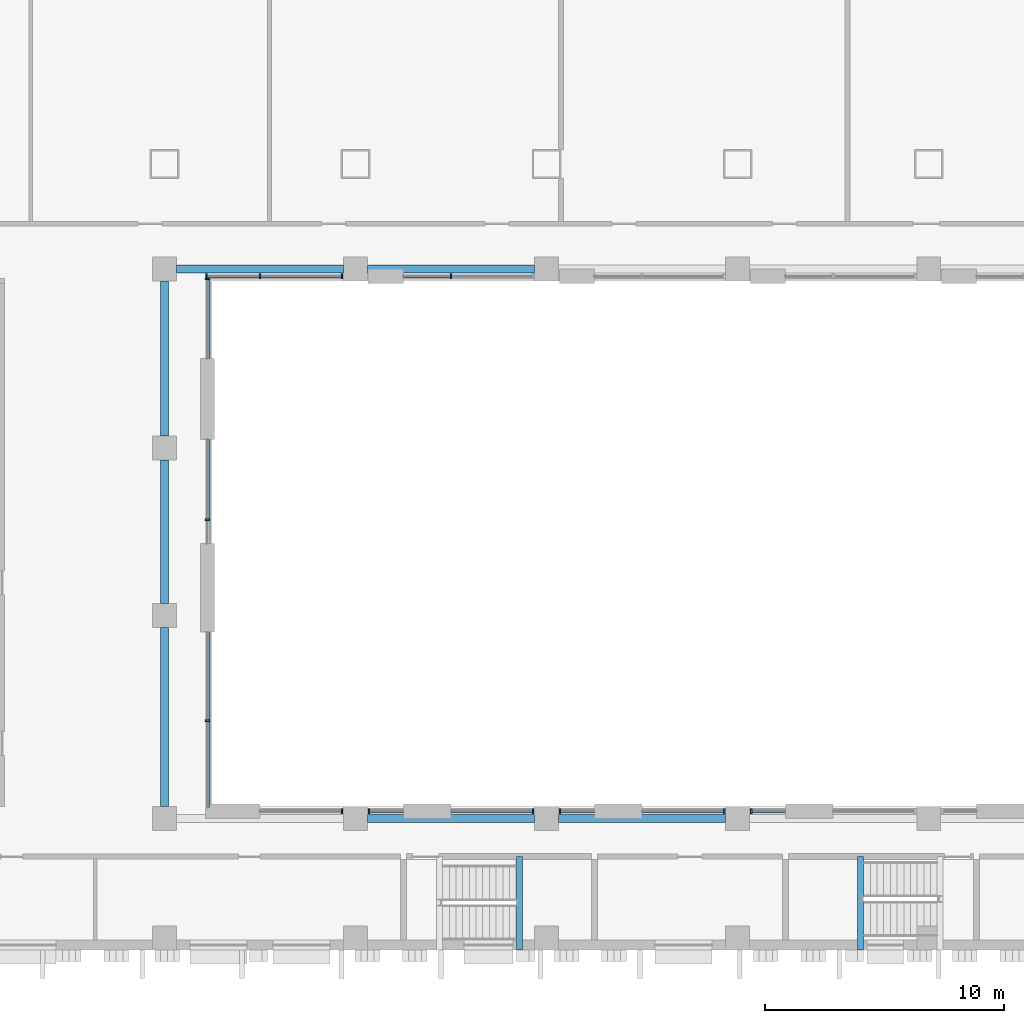
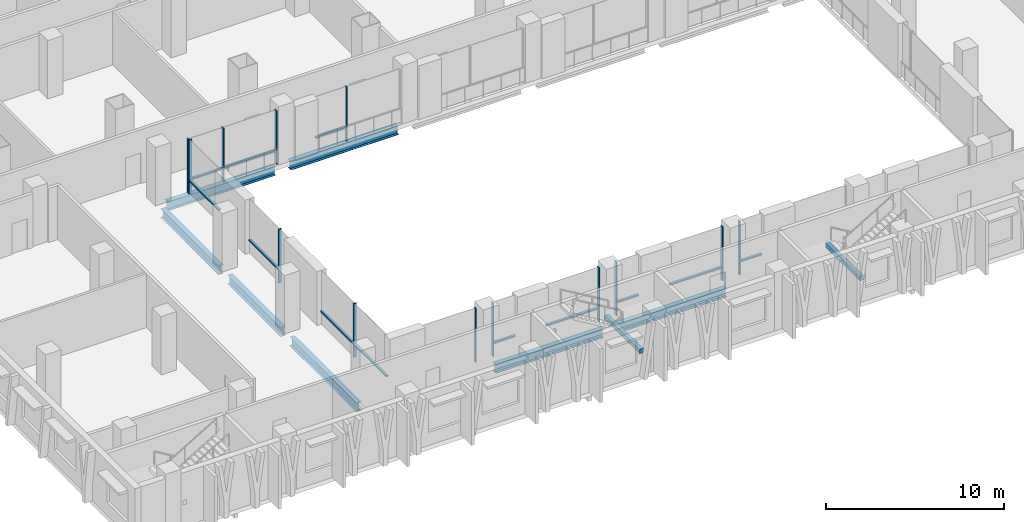
# One storey, part 2 of 26: 25 members, 9 beams, 11 elements without a shape of their own.
"""IFC4 building model written with IfcOpenShell, lengths in metres."""

from ifc_helpers import new_model, si_unit, direction, frame, origin, origin_2d, place, context, subcontext, project, spatial, rectangle, i_section, extrude, material, material_profile, profile_set, type_object, element, aggregate, save


model = new_model("IFC4")

# Units and contexts
model_context = context("Model", 3, precision=1e-05, world=origin(), true_north=direction((0.0, 1.0)))
body_context = subcontext(model_context, "Body", "Model", "MODEL_VIEW")
ifc_project = project(units=[si_unit("LENGTHUNIT", "METRE"), si_unit("AREAUNIT", "SQUARE_METRE"), si_unit("VOLUMEUNIT", "CUBIC_METRE"), si_unit("PLANEANGLEUNIT", "RADIAN"), si_unit("MASSUNIT", "GRAM", prefix="KILO")], contexts=[model_context])

# Site, building, storey
site_placement = place(None, origin())
site = spatial("IfcSite", under=ifc_project, at=site_placement, CompositionType="ELEMENT")
building_placement = place(site_placement, origin())
building = spatial("IfcBuilding", under=site, at=building_placement, Name="Vidyagriha Tower", CompositionType="ELEMENT")
storey_placement = place(building_placement, frame((0.0, 0.0, 6.0)))
storey = spatial("IfcBuildingStorey", under=building, at=storey_placement, Name="L01", CompositionType="ELEMENT", Elevation=6.0)

# Beams
ifc_material_1 = material(Name="Steel ASTM A992 Grade 50", Category="steel")
ifc_material_profile_1 = material_profile(ifc_material_1, i_section(OverallWidth=0.32373046875, OverallDepth=0.612060546875, WebThickness=0.0126953125, FlangeThickness=0.01904296875, at=origin_2d()), Name="W24X104")
ifc_profile_set_1 = profile_set([ifc_material_profile_1], Name="Steel ASTM A992 Grade 50")
beam_type_1 = type_object("IfcBeamType", Name="Atrium edge beam W24X104", PredefinedType="BEAM", material=ifc_profile_set_1)
for number, where, z_axis, x_axis, name in (
    (1, (-13.5, -44.5, -0.60595703125), (1.0, 0.0, 0.0), (0.0, 1.0, 0.0), "st-beam-L01-AT02"),
    (2, (-5.5, -44.5, -0.60595703125), (1.0, 0.0, 0.0), (0.0, 1.0, 0.0), "st-beam-L01-AT03"),
    (3, (-21.5, -21.5, -0.60595703125), (1.0, 0.0, 0.0), (0.0, 1.0, 0.0), "st-beam-L01-AT07"),
    (4, (-13.5, -21.5, -0.60595703125), (1.0, 0.0, 0.0), (0.0, 1.0, 0.0), "st-beam-L01-AT08"),
):
    element("IfcBeam", number, at=place(storey_placement, frame(where, z_axis=z_axis, x_axis=x_axis)), inside=storey, type_object=beam_type_1, Name=name, PredefinedType="BEAM", context=body_context, shape_type="SweptSolid", body=[
        extrude(i_section(OverallWidth=0.32373046875, OverallDepth=0.612060546875, WebThickness=0.0126953125, FlangeThickness=0.01904296875, at=origin_2d()), origin(), (0.0, 0.0, 1.0), 7.0),
    ])
beam_1_placement = place(storey_placement, frame((-22.0, -44.0, -0.60595703125), z_axis=(0.0, 1.0, 0.0), x_axis=(-1.0, 0.0, 0.0)))
element("IfcBeam", 5, at=beam_1_placement, inside=storey, type_object=beam_type_1, Name="st-beam-L01-AT13", PredefinedType="BEAM", context=body_context, shape_type="SweptSolid", body=[
    extrude(i_section(OverallWidth=0.32373046875, OverallDepth=0.612060546875, WebThickness=0.0126953125, FlangeThickness=0.01904296875, at=origin_2d()), origin(), (0.0, 0.0, 1.0), 7.5),
])
beam_2_placement = place(storey_placement, frame((-22.0, -35.5, -0.60595703125), z_axis=(0.0, 1.0, 0.0), x_axis=(-1.0, 0.0, 0.0)))
element("IfcBeam", 6, at=beam_2_placement, inside=storey, type_object=beam_type_1, Name="st-beam-L01-AT14", PredefinedType="BEAM", context=body_context, shape_type="SweptSolid", body=[
    extrude(i_section(OverallWidth=0.32373046875, OverallDepth=0.612060546875, WebThickness=0.0126953125, FlangeThickness=0.01904296875, at=origin_2d()), origin(), (0.0, 0.0, 1.0), 6.0),
])
beam_3_placement = place(storey_placement, frame((-22.0, -28.5, -0.60595703125), z_axis=(0.0, 1.0, 0.0), x_axis=(-1.0, 0.0, 0.0)))
element("IfcBeam", 7, at=beam_3_placement, inside=storey, type_object=beam_type_1, Name="st-beam-L01-AT15", PredefinedType="BEAM", context=body_context, shape_type="SweptSolid", body=[
    extrude(i_section(OverallWidth=0.32373046875, OverallDepth=0.612060546875, WebThickness=0.0126953125, FlangeThickness=0.01904296875, at=origin_2d()), origin(), (0.0, 0.0, 1.0), 6.5),
])

# Curtain wall, member
ifc_material_2 = material(Name="Aluminium and glass curtain wall", Category="aluminium")
curtain_wall_type = type_object("IfcCurtainWallType", Name="Atrium screen curtain wall", PredefinedType="USERDEFINED", material=ifc_material_2)
curtain_wall_1_placement = place(storey_placement, origin())
curtain_wall_1 = element("IfcCurtainWall", 8, at=curtain_wall_1_placement, inside=storey, type_object=curtain_wall_type, Name="CW6 atrium screen", ObjectType="UNITISED", PredefinedType="USERDEFINED")
ifc_material_3 = material(Name="Aluminium black anodised", Category="aluminium")
ifc_material_profile_2 = material_profile(ifc_material_3, rectangle(XDim=0.199951171875, YDim=0.070068359375, at=origin_2d()), Name="Mullion 70x200 black aluminium")
ifc_profile_set_2 = profile_set([ifc_material_profile_2], Name="Aluminium black anodised")
member_type_1 = type_object("IfcMemberType", Name="Mullion 70x200 black aluminium", PredefinedType="MULLION", material=ifc_profile_set_2)
member_1_placement = place(storey_placement, frame((2.56494140625, -44.199951171875, 0.0), z_axis=(0.0, 0.0, 1.0), x_axis=(0.0, -1.0, 0.0)))
member_1 = element("IfcMember", 9, at=member_1_placement, type_object=member_type_1, Name="CW6 mullion 2", PredefinedType="MULLION", context=body_context, shape_type="SweptSolid", body=[
    extrude(rectangle(XDim=0.199951171875, YDim=0.070068359375, at=origin_2d()), origin(), (0.0, 0.0, 1.0), 3.699951171875),
])

curtain_wall_2_placement = place(storey_placement, origin())
curtain_wall_2 = element("IfcCurtainWall", 10, at=curtain_wall_2_placement, inside=storey, type_object=curtain_wall_type, Name="CW6 atrium screen", ObjectType="UNITISED", PredefinedType="USERDEFINED")
member_2_placement = place(storey_placement, frame((1.43505859375, -44.199951171875, 0.0), z_axis=(0.0, 0.0, 1.0), x_axis=(0.0, -1.0, 0.0)))
member_2 = element("IfcMember", 11, at=member_2_placement, type_object=member_type_1, Name="CW6 mullion 1", PredefinedType="MULLION", context=body_context, shape_type="SweptSolid", body=[
    extrude(rectangle(XDim=0.199951171875, YDim=0.070068359375, at=origin_2d()), origin(), (0.0, 0.0, 1.0), 3.699951171875),
])

curtain_wall_3_placement = place(storey_placement, origin())
curtain_wall_3 = element("IfcCurtainWall", 12, at=curtain_wall_3_placement, inside=storey, type_object=curtain_wall_type, Name="CW6 atrium screen", ObjectType="UNITISED", PredefinedType="USERDEFINED")
member_3_placement = place(storey_placement, frame((-5.43505859375, -44.199951171875, 0.0), z_axis=(0.0, 0.0, 1.0), x_axis=(0.0, -1.0, 0.0)))
member_3 = element("IfcMember", 13, at=member_3_placement, type_object=member_type_1, Name="CW6 mullion 2", PredefinedType="MULLION", context=body_context, shape_type="SweptSolid", body=[
    extrude(rectangle(XDim=0.199951171875, YDim=0.070068359375, at=origin_2d()), origin(), (0.0, 0.0, 1.0), 3.699951171875),
])

curtain_wall_4_placement = place(storey_placement, origin())
curtain_wall_4 = element("IfcCurtainWall", 14, at=curtain_wall_4_placement, inside=storey, type_object=curtain_wall_type, Name="CW6 atrium screen", ObjectType="UNITISED", PredefinedType="USERDEFINED")
member_4_placement = place(storey_placement, frame((-6.56494140625, -44.199951171875, 0.0), z_axis=(0.0, 0.0, 1.0), x_axis=(0.0, -1.0, 0.0)))
member_4 = element("IfcMember", 15, at=member_4_placement, type_object=member_type_1, Name="CW6 mullion 1", PredefinedType="MULLION", context=body_context, shape_type="SweptSolid", body=[
    extrude(rectangle(XDim=0.199951171875, YDim=0.070068359375, at=origin_2d()), origin(), (0.0, 0.0, 1.0), 3.699951171875),
])

curtain_wall_5_placement = place(storey_placement, origin())
curtain_wall_5 = element("IfcCurtainWall", 16, at=curtain_wall_5_placement, inside=storey, type_object=curtain_wall_type, Name="CW6 atrium screen", ObjectType="UNITISED", PredefinedType="USERDEFINED")
member_5_placement = place(storey_placement, frame((-13.43505859375, -44.199951171875, 0.0), z_axis=(0.0, 0.0, 1.0), x_axis=(0.0, -1.0, 0.0)))
member_5 = element("IfcMember", 17, at=member_5_placement, type_object=member_type_1, Name="CW6 mullion 2", PredefinedType="MULLION", context=body_context, shape_type="SweptSolid", body=[
    extrude(rectangle(XDim=0.199951171875, YDim=0.070068359375, at=origin_2d()), origin(), (0.0, 0.0, 1.0), 3.699951171875),
])

curtain_wall_6_placement = place(storey_placement, origin())
curtain_wall_6 = element("IfcCurtainWall", 18, at=curtain_wall_6_placement, inside=storey, type_object=curtain_wall_type, Name="CW6 atrium screen", ObjectType="UNITISED", PredefinedType="USERDEFINED")
member_6_placement = place(storey_placement, frame((-14.56494140625, -44.199951171875, 0.0), z_axis=(0.0, 0.0, 1.0), x_axis=(0.0, -1.0, 0.0)))
member_6 = element("IfcMember", 19, at=member_6_placement, type_object=member_type_1, Name="CW6 mullion 1", PredefinedType="MULLION", context=body_context, shape_type="SweptSolid", body=[
    extrude(rectangle(XDim=0.199951171875, YDim=0.070068359375, at=origin_2d()), origin(), (0.0, 0.0, 1.0), 3.699951171875),
])
aggregate(curtain_wall_6, [member_6])

curtain_wall_7_placement = place(storey_placement, origin())
curtain_wall_7 = element("IfcCurtainWall", 20, at=curtain_wall_7_placement, inside=storey, type_object=curtain_wall_type, Name="CW6 atrium screen", ObjectType="UNITISED", PredefinedType="USERDEFINED")
member_7_placement = place(storey_placement, frame((-20.199951171875, -40.413330078125, 0.0), z_axis=(0.0, 0.0, 1.0), x_axis=(-1.0, 0.0, 0.0)))
member_7 = element("IfcMember", 21, at=member_7_placement, type_object=member_type_1, Name="CW6 mullion 2", PredefinedType="MULLION", context=body_context, shape_type="SweptSolid", body=[
    extrude(rectangle(XDim=0.199951171875, YDim=0.070068359375, at=origin_2d()), origin(), (0.0, 0.0, 1.0), 3.699951171875),
])

curtain_wall_8_placement = place(storey_placement, origin())
curtain_wall_8 = element("IfcCurtainWall", 22, at=curtain_wall_8_placement, inside=storey, type_object=curtain_wall_type, Name="CW6 atrium screen", ObjectType="UNITISED", PredefinedType="USERDEFINED")
member_8_placement = place(storey_placement, frame((-20.199951171875, -32.0, 0.0), z_axis=(0.0, 0.0, 1.0), x_axis=(-1.0, 0.0, 0.0)))
member_8 = element("IfcMember", 23, at=member_8_placement, type_object=member_type_1, Name="CW6 mullion 2", PredefinedType="MULLION", context=body_context, shape_type="SweptSolid", body=[
    extrude(rectangle(XDim=0.199951171875, YDim=0.070068359375, at=origin_2d()), origin(), (0.0, 0.0, 1.0), 3.699951171875),
])

curtain_wall_9_placement = place(storey_placement, origin())
curtain_wall_9 = element("IfcCurtainWall", 24, at=curtain_wall_9_placement, inside=storey, type_object=curtain_wall_type, Name="CW6 atrium screen", ObjectType="UNITISED", PredefinedType="USERDEFINED")
member_9_placement = place(storey_placement, frame((-20.199951171875, -21.9150390625, 0.0), z_axis=(0.0, 0.0, 1.0), x_axis=(-1.0, 0.0, 0.0)))
member_9 = element("IfcMember", 25, at=member_9_placement, type_object=member_type_1, Name="CW6 mullion 2", PredefinedType="MULLION", context=body_context, shape_type="SweptSolid", body=[
    extrude(rectangle(XDim=0.199951171875, YDim=0.070068359375, at=origin_2d()), origin(), (0.0, 0.0, 1.0), 3.699951171875),
])

# Curtain wall, members
curtain_wall_10_placement = place(storey_placement, origin())
curtain_wall_10 = element("IfcCurtainWall", 26, at=curtain_wall_10_placement, inside=storey, type_object=curtain_wall_type, Name="CW6 atrium screen", ObjectType="UNITISED", PredefinedType="USERDEFINED")
member_10_placement = place(storey_placement, frame((-20.2451171875, -21.800048828125, 0.0), z_axis=(0.0, 0.0, 1.0), x_axis=(0.0, 1.0, 0.0)))
member_10 = element("IfcMember", 27, at=member_10_placement, type_object=member_type_1, Name="CW6 mullion 1", PredefinedType="MULLION", context=body_context, shape_type="SweptSolid", body=[
    extrude(rectangle(XDim=0.199951171875, YDim=0.070068359375, at=origin_2d()), origin(), (0.0, 0.0, 1.0), 3.699951171875),
])
member_11_placement = place(storey_placement, frame((-18.0, -21.800048828125, 0.0), z_axis=(0.0, 0.0, 1.0), x_axis=(0.0, 1.0, 0.0)))
member_11 = element("IfcMember", 28, at=member_11_placement, type_object=member_type_1, Name="CW6 mullion 2", PredefinedType="MULLION", context=body_context, shape_type="SweptSolid", body=[
    extrude(rectangle(XDim=0.199951171875, YDim=0.070068359375, at=origin_2d()), origin(), (0.0, 0.0, 1.0), 3.699951171875),
])
member_12_placement = place(storey_placement, frame((-14.56494140625, -21.800048828125, 0.0), z_axis=(0.0, 0.0, 1.0), x_axis=(0.0, 1.0, 0.0)))
member_12 = element("IfcMember", 29, at=member_12_placement, type_object=member_type_1, Name="CW6 mullion 3", PredefinedType="MULLION", context=body_context, shape_type="SweptSolid", body=[
    extrude(rectangle(XDim=0.199951171875, YDim=0.070068359375, at=origin_2d()), origin(), (0.0, 0.0, 1.0), 3.699951171875),
])

# Curtain wall, member
curtain_wall_11_placement = place(storey_placement, origin())
curtain_wall_11 = element("IfcCurtainWall", 30, at=curtain_wall_11_placement, inside=storey, type_object=curtain_wall_type, Name="CW6 atrium screen", ObjectType="UNITISED", PredefinedType="USERDEFINED")
member_13_placement = place(storey_placement, frame((-10.0, -21.800048828125, 0.0), z_axis=(0.0, 0.0, 1.0), x_axis=(0.0, 1.0, 0.0)))
member_13 = element("IfcMember", 31, at=member_13_placement, type_object=member_type_1, Name="CW6 mullion 2", PredefinedType="MULLION", context=body_context, shape_type="SweptSolid", body=[
    extrude(rectangle(XDim=0.199951171875, YDim=0.070068359375, at=origin_2d()), origin(), (0.0, 0.0, 1.0), 3.699951171875),
])

# Beams
ifc_material_4 = material(Name="Concrete C40/50", Category="concrete")
ifc_material_profile_3 = material_profile(ifc_material_4, rectangle(XDim=0.25, YDim=0.300048828125, at=origin_2d()), Name="Stair landing bearing beam 250x300")
ifc_profile_set_3 = profile_set([ifc_material_profile_3], Name="Concrete C40/50")
beam_type_2 = type_object("IfcBeamType", Name="Stair landing bearing beam 250x300", PredefinedType="BEAM", material=ifc_profile_set_3)
for number, where, z_axis, x_axis, name in (
    (32, (-7.139892578125, -50.0, 1.64990234375), (0.0, 1.0, 0.0), (-1.0, 0.0, 0.0), "PS3 landing bearing beam L01"),
    (33, (7.139892578125, -50.0, 1.64990234375), (0.0, 1.0, 0.0), (-1.0, 0.0, 0.0), "PS4 landing bearing beam L01"),
):
    element("IfcBeam", number, at=place(storey_placement, frame(where, z_axis=z_axis, x_axis=x_axis)), inside=storey, type_object=beam_type_2, Name=name, PredefinedType="BEAM", context=body_context, shape_type="SweptSolid", body=[
        extrude(rectangle(XDim=0.25, YDim=0.300048828125, at=origin_2d()), origin(), (0.0, 0.0, 1.0), 3.89990234375),
    ])

# Member
ifc_material_5 = material(Name="Aluminium black anodised", Category="aluminium")
ifc_material_profile_4 = material_profile(ifc_material_5, rectangle(XDim=0.159912109375, YDim=0.10009765625, at=origin_2d()), Name="Transom 100x160 black aluminium")
ifc_profile_set_4 = profile_set([ifc_material_profile_4], Name="Aluminium black anodised")
member_type_2 = type_object("IfcMemberType", Name="Transom 100x160 black aluminium", PredefinedType="USERDEFINED", material=ifc_profile_set_4)
member_14_placement = place(storey_placement, frame((4.0, -44.199951171875, 0.89990234375), z_axis=(-1.0, 0.0, 0.0), x_axis=(0.0, -1.0, 0.0)))
member_14 = element("IfcMember", 34, at=member_14_placement, type_object=member_type_2, Name="CW6 transom 1.1", ObjectType="TRANSOM", PredefinedType="USERDEFINED", context=body_context, shape_type="SweptSolid", body=[
    extrude(rectangle(XDim=0.159912109375, YDim=0.10009765625, at=origin_2d()), origin(), (0.0, 0.0, 1.0), 1.39990234375),
])

aggregate(curtain_wall_1, [member_1, member_14])

member_15_placement = place(storey_placement, frame((1.39990234375, -44.199951171875, 0.89990234375), z_axis=(-1.0, 0.0, 0.0), x_axis=(0.0, -1.0, 0.0)))
member_15 = element("IfcMember", 35, at=member_15_placement, type_object=member_type_2, Name="CW6 transom 1.1", ObjectType="TRANSOM", PredefinedType="USERDEFINED", context=body_context, shape_type="SweptSolid", body=[
    extrude(rectangle(XDim=0.159912109375, YDim=0.10009765625, at=origin_2d()), origin(), (0.0, 0.0, 1.0), 3.39990234375),
])

aggregate(curtain_wall_2, [member_2, member_15])

member_16_placement = place(storey_placement, frame((-4.0, -44.199951171875, 0.89990234375), z_axis=(-1.0, 0.0, 0.0), x_axis=(0.0, -1.0, 0.0)))
member_16 = element("IfcMember", 36, at=member_16_placement, type_object=member_type_2, Name="CW6 transom 1.1", ObjectType="TRANSOM", PredefinedType="USERDEFINED", context=body_context, shape_type="SweptSolid", body=[
    extrude(rectangle(XDim=0.159912109375, YDim=0.10009765625, at=origin_2d()), origin(), (0.0, 0.0, 1.0), 1.39990234375),
])

aggregate(curtain_wall_3, [member_3, member_16])

member_17_placement = place(storey_placement, frame((-6.60009765625, -44.199951171875, 0.89990234375), z_axis=(-1.0, 0.0, 0.0), x_axis=(0.0, -1.0, 0.0)))
member_17 = element("IfcMember", 37, at=member_17_placement, type_object=member_type_2, Name="CW6 transom 1.1", ObjectType="TRANSOM", PredefinedType="USERDEFINED", context=body_context, shape_type="SweptSolid", body=[
    extrude(rectangle(XDim=0.159912109375, YDim=0.10009765625, at=origin_2d()), origin(), (0.0, 0.0, 1.0), 3.39990234375),
])

aggregate(curtain_wall_4, [member_4, member_17])

member_18_placement = place(storey_placement, frame((-12.0, -44.199951171875, 0.89990234375), z_axis=(-1.0, 0.0, 0.0), x_axis=(0.0, -1.0, 0.0)))
member_18 = element("IfcMember", 38, at=member_18_placement, type_object=member_type_2, Name="CW6 transom 1.1", ObjectType="TRANSOM", PredefinedType="USERDEFINED", context=body_context, shape_type="SweptSolid", body=[
    extrude(rectangle(XDim=0.159912109375, YDim=0.10009765625, at=origin_2d()), origin(), (0.0, 0.0, 1.0), 1.39990234375),
])

aggregate(curtain_wall_5, [member_5, member_18])

member_19_placement = place(storey_placement, frame((-20.199951171875, -44.050048828125, 0.89990234375), z_axis=(0.0, 1.0, 0.0), x_axis=(-1.0, 0.0, 0.0)))
member_19 = element("IfcMember", 39, at=member_19_placement, type_object=member_type_2, Name="CW6 transom 1.1", ObjectType="TRANSOM", PredefinedType="USERDEFINED", context=body_context, shape_type="SweptSolid", body=[
    extrude(rectangle(XDim=0.159912109375, YDim=0.10009765625, at=origin_2d()), origin(), (0.0, 0.0, 1.0), 3.601806640625),
])

member_20_placement = place(storey_placement, frame((-20.199951171875, -40.37841796875, 0.89990234375), z_axis=(0.0, 1.0, 0.0), x_axis=(-1.0, 0.0, 0.0)))
member_20 = element("IfcMember", 40, at=member_20_placement, type_object=member_type_2, Name="CW6 transom 2.1", ObjectType="TRANSOM", PredefinedType="USERDEFINED", context=body_context, shape_type="SweptSolid", body=[
    extrude(rectangle(XDim=0.159912109375, YDim=0.10009765625, at=origin_2d()), origin(), (0.0, 0.0, 1.0), 3.671630859375),
])

aggregate(curtain_wall_7, [member_7, member_19, member_20])

member_21_placement = place(storey_placement, frame((-20.199951171875, -31.965087890625, 0.89990234375), z_axis=(0.0, 1.0, 0.0), x_axis=(-1.0, 0.0, 0.0)))
member_21 = element("IfcMember", 41, at=member_21_placement, type_object=member_type_2, Name="CW6 transom 2.1", ObjectType="TRANSOM", PredefinedType="USERDEFINED", context=body_context, shape_type="SweptSolid", body=[
    extrude(rectangle(XDim=0.159912109375, YDim=0.10009765625, at=origin_2d()), origin(), (0.0, 0.0, 1.0), 3.33837890625),
])

aggregate(curtain_wall_8, [member_8, member_21])

member_22_placement = place(storey_placement, frame((-20.199951171875, -25.25341796875, 0.89990234375), z_axis=(0.0, 1.0, 0.0), x_axis=(-1.0, 0.0, 0.0)))
member_22 = element("IfcMember", 42, at=member_22_placement, type_object=member_type_2, Name="CW6 transom 1.1", ObjectType="TRANSOM", PredefinedType="USERDEFINED", context=body_context, shape_type="SweptSolid", body=[
    extrude(rectangle(XDim=0.159912109375, YDim=0.10009765625, at=origin_2d()), origin(), (0.0, 0.0, 1.0), 3.303466796875),
])

aggregate(curtain_wall_9, [member_9, member_22])

member_23_placement = place(storey_placement, frame((-20.2099609375, -21.800048828125, 0.89990234375), z_axis=(1.0, 0.0, 0.0), x_axis=(0.0, 1.0, 0.0)))
member_23 = element("IfcMember", 43, at=member_23_placement, type_object=member_type_2, Name="CW6 transom 1.1", ObjectType="TRANSOM", PredefinedType="USERDEFINED", context=body_context, shape_type="SweptSolid", body=[
    extrude(rectangle(XDim=0.159912109375, YDim=0.10009765625, at=origin_2d()), origin(), (0.0, 0.0, 1.0), 2.175048828125),
])

member_24_placement = place(storey_placement, frame((-17.965087890625, -21.800048828125, 0.89990234375), z_axis=(1.0, 0.0, 0.0), x_axis=(0.0, 1.0, 0.0)))
member_24 = element("IfcMember", 44, at=member_24_placement, type_object=member_type_2, Name="CW6 transom 2.1", ObjectType="TRANSOM", PredefinedType="USERDEFINED", context=body_context, shape_type="SweptSolid", body=[
    extrude(rectangle(XDim=0.159912109375, YDim=0.10009765625, at=origin_2d()), origin(), (0.0, 0.0, 1.0), 3.364990234375),
])

aggregate(curtain_wall_10, [member_10, member_11, member_12, member_23, member_24])

member_25_placement = place(storey_placement, frame((-12.0, -21.800048828125, 0.89990234375), z_axis=(1.0, 0.0, 0.0), x_axis=(0.0, 1.0, 0.0)))
member_25 = element("IfcMember", 45, at=member_25_placement, type_object=member_type_2, Name="CW6 transom 1.1", ObjectType="TRANSOM", PredefinedType="USERDEFINED", context=body_context, shape_type="SweptSolid", body=[
    extrude(rectangle(XDim=0.159912109375, YDim=0.10009765625, at=origin_2d()), origin(), (0.0, 0.0, 1.0), 1.965087890625),
])

aggregate(curtain_wall_11, [member_13, member_25])

save(model, "model.ifc")
